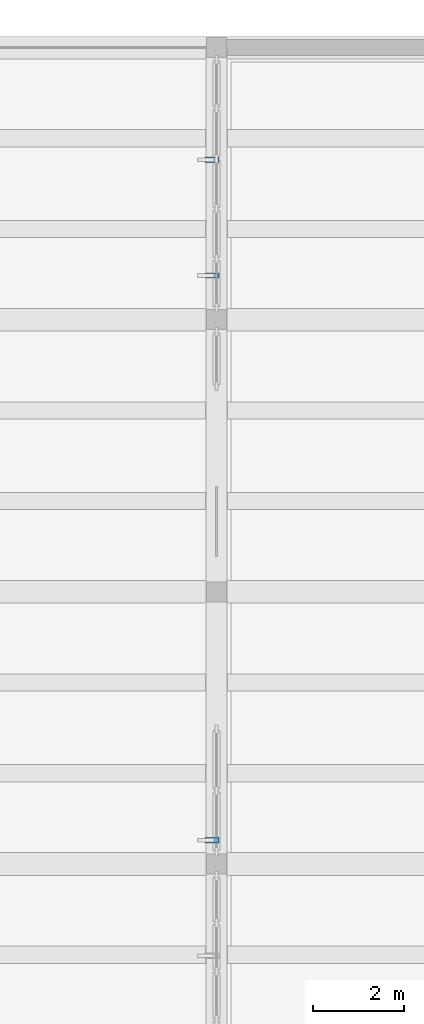
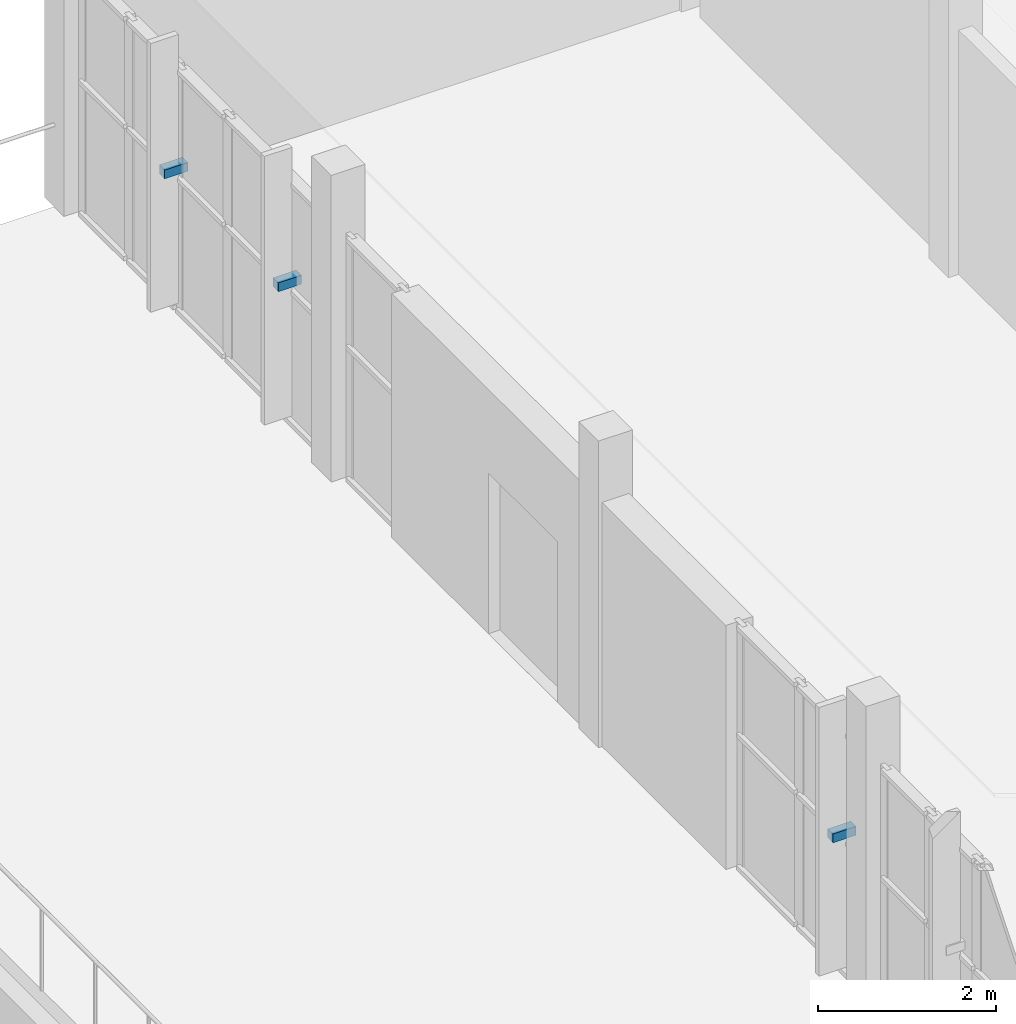
# One storey, part 60 of 70: 3 discrete accessories.
"""IFC4 building model written with IfcOpenShell, lengths in metres."""

from ifc_helpers import new_model, si_unit, direction, frame, origin, origin_2d, place, context, subcontext, project, spatial, rectangle, extrude, material, type_object, element, save


model = new_model("IFC4")

# Units and contexts
model_context = context("Model", 3, precision=1e-05, world=origin(), true_north=direction((0.0, 1.0)))
body_context = subcontext(model_context, "Body", "Model", "MODEL_VIEW")
ifc_project = project(units=[si_unit("LENGTHUNIT", "METRE"), si_unit("AREAUNIT", "SQUARE_METRE"), si_unit("VOLUMEUNIT", "CUBIC_METRE"), si_unit("PLANEANGLEUNIT", "RADIAN"), si_unit("MASSUNIT", "GRAM", prefix="KILO")], contexts=[model_context])

# Site, building, storey
site_placement = place(None, origin())
site = spatial("IfcSite", under=ifc_project, at=site_placement, CompositionType="ELEMENT")
building_placement = place(site_placement, origin())
building = spatial("IfcBuilding", under=site, at=building_placement, Name="Solvane Community Centre", CompositionType="ELEMENT")
storey_placement = place(building_placement, frame((0.0, 0.0, 9.60009765625)))
storey = spatial("IfcBuildingStorey", under=building, at=storey_placement, Name="L02", CompositionType="ELEMENT", Elevation=9.60009765625)

# Discrete accessories
ifc_material = material(Name="Steel ASTM A572 Grade 50", Category="steel")
discrete_accessory_type = type_object("IfcDiscreteAccessoryType", Name="Fin Mounting Bracket 120x120", PredefinedType="BRACKET", material=ifc_material)
for number, where, z_axis, x_axis, name in (
    (1, (115.89990234375, 42.52490234375, 1.929931640625), (0.0, 0.0, 1.0), (0.0, 1.0, 0.0), "Fin Bracket 88"),
    (2, (115.89990234375, 54.97509765625, 1.929931640625), (0.0, 0.0, 1.0), (0.0, 1.0, 0.0), "Fin Bracket 89"),
    (3, (115.89990234375, 57.52490234375, 1.929931640625), (0.0, 0.0, 1.0), (0.0, 1.0, 0.0), "Fin Bracket 90"),
):
    element("IfcDiscreteAccessory", number, at=place(storey_placement, frame(where, z_axis=z_axis, x_axis=x_axis)), inside=storey, type_object=discrete_accessory_type, Name=name, PredefinedType="BRACKET", context=body_context, shape_type="SweptSolid", body=[
        extrude(rectangle(XDim=0.1201171875, YDim=0.300048828125, at=origin_2d()), origin(), (0.0, 0.0, 1.0), 0.1201171875),
    ])

save(model, "model.ifc")
